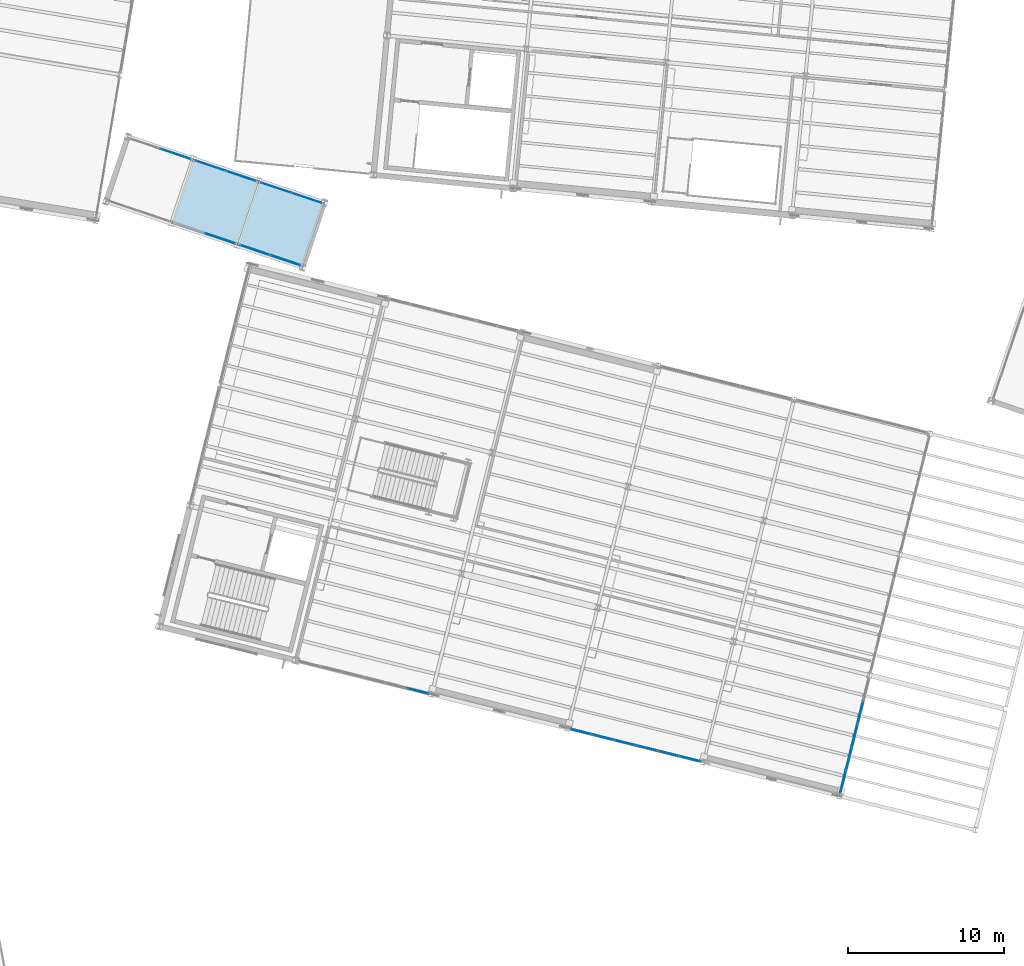
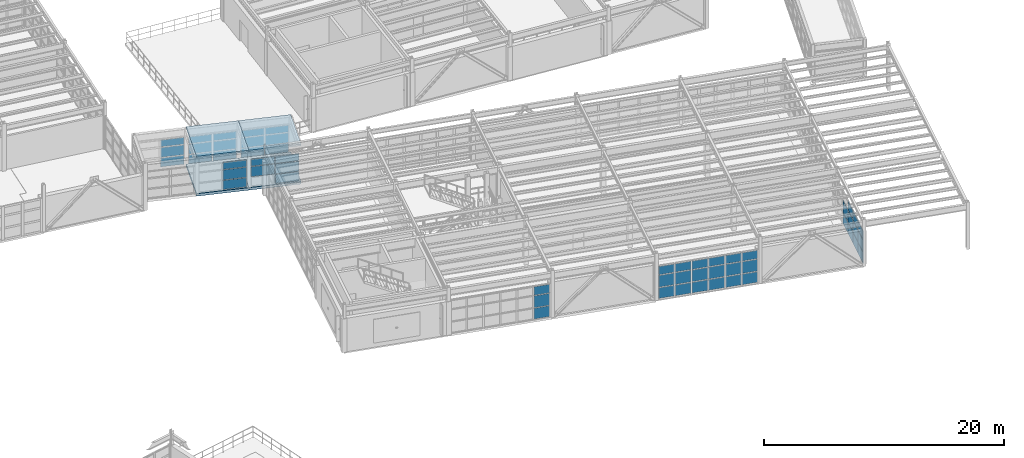
# One storey, part 62 of 102: 55 plates, 4 slabs, 8 elements without a shape of their own.
"""IFC4 building model written with IfcOpenShell, lengths in metres."""

from ifc_helpers import new_model, si_unit, direction, frame, origin, origin_2d, place, context, subcontext, project, spatial, polyline, rectangle, outline, extrude, material, layer, layer_set, type_object, element, aggregate, save


model = new_model("IFC4")

# Units and contexts
model_context = context("Model", 3, precision=1e-05, world=origin(), true_north=direction((0.0, 1.0)))
body_context = subcontext(model_context, "Body", "Model", "MODEL_VIEW")
ifc_project = project(units=[si_unit("LENGTHUNIT", "METRE"), si_unit("AREAUNIT", "SQUARE_METRE"), si_unit("VOLUMEUNIT", "CUBIC_METRE"), si_unit("PLANEANGLEUNIT", "RADIAN"), si_unit("MASSUNIT", "GRAM", prefix="KILO")], contexts=[model_context])

# Site, building, storey
site_placement = place(None, origin())
site = spatial("IfcSite", under=ifc_project, at=site_placement, CompositionType="ELEMENT")
building_placement = place(site_placement, origin())
building = spatial("IfcBuilding", under=site, at=building_placement, Name="Vireo Bluff Cable Station", CompositionType="ELEMENT")
storey_placement = place(building_placement, frame((0.0, 0.0, 9.60009765625)))
storey = spatial("IfcBuildingStorey", under=building, at=storey_placement, Name="L02", CompositionType="ELEMENT", Elevation=9.60009765625)

# Curtain wall, plates
ifc_material_1 = material(Name="Anodized Aluminium 6063-T6", Category="aluminium")
ifc_layer_1 = layer(ifc_material_1, 0.179931640625, Name="Anodized Aluminium 6063-T6")
ifc_layer_set_1 = layer_set([ifc_layer_1], Name="Anodized Aluminium 6063-T6")
curtain_wall_type_1 = type_object("IfcCurtainWallType", Name="CW-UNIT-1500", PredefinedType="USERDEFINED", material=ifc_layer_set_1)
curtain_wall_1_placement = place(storey_placement, origin())
curtain_wall_1 = element("IfcCurtainWall", 1, at=curtain_wall_1_placement, inside=storey, type_object=curtain_wall_type_1, Name="V1 L02 south curtain wall CW-010", ObjectType="UNITISED CURTAIN WALL", PredefinedType="USERDEFINED")
ifc_material_2 = material(Name="Laminated Low-E Insulated Glass", Category="glass")
ifc_layer_2 = layer(ifc_material_2, 0.028076171875, Name="Laminated Low-E Insulated Glass")
ifc_layer_set_2 = layer_set([ifc_layer_2], Name="Laminated Low-E Insulated Glass")
plate_type_1 = type_object("IfcPlateType", Name="CWP-28-1", PredefinedType="CURTAIN_PANEL", material=ifc_layer_set_2)
plate_1_placement = place(storey_placement, frame((70.596435546875, 33.862060546875, 0.059814453125), z_axis=(0.0, 0.0, 1.0), x_axis=(-0.970295740151, 0.241921839952, 0.0)))
plate_1 = element("IfcPlate", 2, at=plate_1_placement, type_object=plate_type_1, Name="CW-010 panel 1.1", PredefinedType="CURTAIN_PANEL", context=body_context, shape_type="SweptSolid", body=[
    extrude(rectangle(XDim=1.35791015625, YDim=0.028076171875, at=origin_2d()), origin(), (0.0, 0.0, 1.0), 1.10009765625),
])
plate_2_placement = place(storey_placement, frame((70.596435546875, 33.862060546875, 1.2197265625), z_axis=(0.0, 0.0, 1.0), x_axis=(-0.970295740151, 0.241921839952, 0.0)))
plate_2 = element("IfcPlate", 3, at=plate_2_placement, type_object=plate_type_1, Name="CW-010 panel 1.2", PredefinedType="CURTAIN_PANEL", context=body_context, shape_type="SweptSolid", body=[
    extrude(rectangle(XDim=1.35791015625, YDim=0.028076171875, at=origin_2d()), origin(), (0.0, 0.0, 1.0), 1.197998046875),
])
plate_3_placement = place(storey_placement, frame((70.596435546875, 33.862060546875, 2.47802734375), z_axis=(0.0, 0.0, 1.0), x_axis=(-0.970295740151, 0.241921839952, 0.0)))
plate_3 = element("IfcPlate", 4, at=plate_3_placement, type_object=plate_type_1, Name="CW-010 panel 1.3", PredefinedType="CURTAIN_PANEL", context=body_context, shape_type="SweptSolid", body=[
    extrude(rectangle(XDim=1.35791015625, YDim=0.028076171875, at=origin_2d()), origin(), (0.0, 0.0, 1.0), 0.862060546875),
])
aggregate(curtain_wall_1, [plate_1, plate_2, plate_3])

ifc_layer_3 = layer(ifc_material_1, 0.159912109375, Name="Anodized Aluminium 6063-T6")
ifc_layer_set_3 = layer_set([ifc_layer_3], Name="Anodized Aluminium 6063-T6")
curtain_wall_type_2 = type_object("IfcCurtainWallType", Name="CW-STICK-1850", PredefinedType="USERDEFINED", material=ifc_layer_set_3)
curtain_wall_2_placement = place(storey_placement, origin())
curtain_wall_2 = element("IfcCurtainWall", 5, at=curtain_wall_2_placement, inside=storey, type_object=curtain_wall_type_2, Name="SKYBR L02 CABIN-TRANSFER-3R curtain wall CW-145", ObjectType="STICK CURTAIN WALL", PredefinedType="USERDEFINED")
plate_4_placement = place(storey_placement, frame((61.468505859375, 66.193359375, 0.074951171875), z_axis=(0.0, 0.0, 1.0), x_axis=(0.9481127039, -0.317934428309, 0.0)))
plate_4 = element("IfcPlate", 6, at=plate_4_placement, type_object=plate_type_1, Name="CW-145 panel 1.1", PredefinedType="CURTAIN_PANEL", context=body_context, shape_type="SweptSolid", body=[
    extrude(rectangle(XDim=1.987548828125, YDim=0.028076171875, at=origin_2d()), origin(), (0.0, 0.0, 1.0), 0.8955078125),
])
plate_5_placement = place(storey_placement, frame((61.468505859375, 66.193359375, 1.04541015625), z_axis=(0.0, 0.0, 1.0), x_axis=(0.9481127039, -0.317934428309, 0.0)))
plate_5 = element("IfcPlate", 7, at=plate_5_placement, type_object=plate_type_1, Name="CW-145 panel 1.2", PredefinedType="CURTAIN_PANEL", context=body_context, shape_type="SweptSolid", body=[
    extrude(rectangle(XDim=1.987548828125, YDim=0.028076171875, at=origin_2d()), origin(), (0.0, 0.0, 1.0), 0.990478515625),
])
plate_6_placement = place(storey_placement, frame((61.468505859375, 66.193359375, 2.111083984375), z_axis=(0.0, 0.0, 1.0), x_axis=(0.9481127039, -0.317934428309, 0.0)))
plate_6 = element("IfcPlate", 8, at=plate_6_placement, type_object=plate_type_1, Name="CW-145 panel 1.3", PredefinedType="CURTAIN_PANEL", context=body_context, shape_type="SweptSolid", body=[
    extrude(rectangle(XDim=1.987548828125, YDim=0.028076171875, at=origin_2d()), origin(), (0.0, 0.0, 1.0), 0.69384765625),
])
plate_7_placement = place(storey_placement, frame((63.424072265625, 65.53759765625, 0.074951171875), z_axis=(0.0, 0.0, 1.0), x_axis=(0.9481127039, -0.317934428309, 0.0)))
plate_7 = element("IfcPlate", 9, at=plate_7_placement, type_object=plate_type_1, Name="CW-145 panel 2.1", PredefinedType="CURTAIN_PANEL", context=body_context, shape_type="SweptSolid", body=[
    extrude(rectangle(XDim=1.987548828125, YDim=0.028076171875, at=origin_2d()), origin(), (0.0, 0.0, 1.0), 0.8955078125),
])
plate_8_placement = place(storey_placement, frame((63.424072265625, 65.53759765625, 1.04541015625), z_axis=(0.0, 0.0, 1.0), x_axis=(0.9481127039, -0.317934428309, 0.0)))
plate_8 = element("IfcPlate", 10, at=plate_8_placement, type_object=plate_type_1, Name="CW-145 panel 2.2", PredefinedType="CURTAIN_PANEL", context=body_context, shape_type="SweptSolid", body=[
    extrude(rectangle(XDim=1.987548828125, YDim=0.028076171875, at=origin_2d()), origin(), (0.0, 0.0, 1.0), 0.990478515625),
])
plate_9_placement = place(storey_placement, frame((63.424072265625, 65.53759765625, 2.111083984375), z_axis=(0.0, 0.0, 1.0), x_axis=(0.9481127039, -0.317934428309, 0.0)))
plate_9 = element("IfcPlate", 11, at=plate_9_placement, type_object=plate_type_1, Name="CW-145 panel 2.3", PredefinedType="CURTAIN_PANEL", context=body_context, shape_type="SweptSolid", body=[
    extrude(rectangle(XDim=1.987548828125, YDim=0.028076171875, at=origin_2d()), origin(), (0.0, 0.0, 1.0), 0.69384765625),
])
aggregate(curtain_wall_2, [plate_4, plate_5, plate_6, plate_7, plate_8, plate_9])

curtain_wall_3_placement = place(storey_placement, origin())
curtain_wall_3 = element("IfcCurtainWall", 12, at=curtain_wall_3_placement, inside=storey, type_object=curtain_wall_type_2, Name="SKYBR L02 CABIN-TRANSFER-1R curtain wall CW-141", ObjectType="STICK CURTAIN WALL", PredefinedType="USERDEFINED")
ifc_layer_4 = layer(ifc_material_2, 0.031982421875, Name="Laminated Low-E Insulated Glass")
ifc_layer_set_4 = layer_set([ifc_layer_4], Name="Laminated Low-E Insulated Glass")
plate_type_2 = type_object("IfcPlateType", Name="CWP-32-2", PredefinedType="CURTAIN_PANEL", material=ifc_layer_set_4)
plate_10_placement = place(storey_placement, frame((55.003662109375, 68.361572265625, 0.074951171875), z_axis=(0.0, 0.0, 1.0), x_axis=(0.948115110586, -0.317927251237, 0.0)))
plate_10 = element("IfcPlate", 13, at=plate_10_placement, type_object=plate_type_2, Name="CW-141 panel 2.1", PredefinedType="CURTAIN_PANEL", context=body_context, shape_type="SweptSolid", body=[
    extrude(rectangle(XDim=1.987548828125, YDim=0.031982421875, at=origin_2d()), origin(), (0.0, 0.0, 1.0), 0.8955078125),
])
plate_11_placement = place(storey_placement, frame((55.003662109375, 68.361572265625, 1.04541015625), z_axis=(0.0, 0.0, 1.0), x_axis=(0.948115110586, -0.317927251237, 0.0)))
plate_11 = element("IfcPlate", 14, at=plate_11_placement, type_object=plate_type_2, Name="CW-141 panel 2.2", PredefinedType="CURTAIN_PANEL", context=body_context, shape_type="SweptSolid", body=[
    extrude(rectangle(XDim=1.987548828125, YDim=0.031982421875, at=origin_2d()), origin(), (0.0, 0.0, 1.0), 0.990478515625),
])
plate_12_placement = place(storey_placement, frame((55.003662109375, 68.361572265625, 2.111083984375), z_axis=(0.0, 0.0, 1.0), x_axis=(0.948115110586, -0.317927251237, 0.0)))
plate_12 = element("IfcPlate", 15, at=plate_12_placement, type_object=plate_type_2, Name="CW-141 panel 2.3", PredefinedType="CURTAIN_PANEL", context=body_context, shape_type="SweptSolid", body=[
    extrude(rectangle(XDim=1.987548828125, YDim=0.031982421875, at=origin_2d()), origin(), (0.0, 0.0, 1.0), 0.69384765625),
])
aggregate(curtain_wall_3, [plate_10, plate_11, plate_12])

ifc_layer_5 = layer(ifc_material_1, 0.159912109375, Name="Anodized Aluminium 6063-T6")
ifc_layer_set_5 = layer_set([ifc_layer_5], Name="Anodized Aluminium 6063-T6")
curtain_wall_type_3 = type_object("IfcCurtainWallType", Name="CW-STICK-1750", PredefinedType="USERDEFINED", material=ifc_layer_set_5)
curtain_wall_4_placement = place(storey_placement, origin())
curtain_wall_4 = element("IfcCurtainWall", 16, at=curtain_wall_4_placement, inside=storey, type_object=curtain_wall_type_3, Name="SKYBR L02 CABIN-TRANSFER-2L curtain wall CW-142", ObjectType="STICK CURTAIN WALL", PredefinedType="USERDEFINED")
ifc_layer_6 = layer(ifc_material_2, 0.035888671875, Name="Laminated Low-E Insulated Glass")
ifc_layer_set_6 = layer_set([ifc_layer_6], Name="Laminated Low-E Insulated Glass")
plate_type_3 = type_object("IfcPlateType", Name="CWP-36-3", PredefinedType="CURTAIN_PANEL", material=ifc_layer_set_6)
plate_13_placement = place(storey_placement, frame((57.87451171875, 62.943359375, 0.059814453125), z_axis=(0.0, 0.0, 1.0), x_axis=(0.948110513275, -0.317940960899, 0.0)))
plate_13 = element("IfcPlate", 17, at=plate_13_placement, type_object=plate_type_3, Name="CW-142 panel 2.1", PredefinedType="CURTAIN_PANEL", context=body_context, shape_type="SweptSolid", body=[
    extrude(rectangle(XDim=2.0107421875, YDim=0.035888671875, at=origin_2d()), origin(), (0.0, 0.0, 1.0), 0.91796875),
])
plate_14_placement = place(storey_placement, frame((57.87451171875, 62.943359375, 1.0380859375), z_axis=(0.0, 0.0, 1.0), x_axis=(0.948110513275, -0.317940960899, 0.0)))
plate_14 = element("IfcPlate", 18, at=plate_14_placement, type_object=plate_type_3, Name="CW-142 panel 2.2", PredefinedType="CURTAIN_PANEL", context=body_context, shape_type="SweptSolid", body=[
    extrude(rectangle(XDim=2.0107421875, YDim=0.035888671875, at=origin_2d()), origin(), (0.0, 0.0, 1.0), 1.005615234375),
])
plate_15_placement = place(storey_placement, frame((57.87451171875, 62.943359375, 2.103515625), z_axis=(0.0, 0.0, 1.0), x_axis=(0.948110513275, -0.317940960899, 0.0)))
plate_15 = element("IfcPlate", 19, at=plate_15_placement, type_object=plate_type_3, Name="CW-142 panel 2.3", PredefinedType="CURTAIN_PANEL", context=body_context, shape_type="SweptSolid", body=[
    extrude(rectangle(XDim=2.0107421875, YDim=0.035888671875, at=origin_2d()), origin(), (0.0, 0.0, 1.0), 0.71630859375),
])
aggregate(curtain_wall_4, [plate_13, plate_14, plate_15])

ifc_layer_7 = layer(ifc_material_1, 0.179931640625, Name="Anodized Aluminium 6063-T6")
ifc_layer_set_7 = layer_set([ifc_layer_7], Name="Anodized Aluminium 6063-T6")
curtain_wall_type_4 = type_object("IfcCurtainWallType", Name="CW-UNIT-1400", PredefinedType="USERDEFINED", material=ifc_layer_set_7)
curtain_wall_5_placement = place(storey_placement, origin())
curtain_wall_5 = element("IfcCurtainWall", 20, at=curtain_wall_5_placement, inside=storey, type_object=curtain_wall_type_4, Name="V1 L02 east curtain wall CW-018", ObjectType="UNITISED CURTAIN WALL", PredefinedType="USERDEFINED")
ifc_material_3 = material(Name="Insulated Spandrel Glass Panel", Category="glass")
ifc_layer_8 = layer(ifc_material_3, 0.0419921875, Name="Insulated Spandrel Glass Panel")
ifc_layer_set_8 = layer_set([ifc_layer_8], Name="Insulated Spandrel Glass Panel")
plate_type_4 = type_object("IfcPlateType", Name="CWP-42-4", PredefinedType="CURTAIN_PANEL", material=ifc_layer_set_8)
plate_16_placement = place(storey_placement, frame((99.00146484375, 32.480224609375, 0.059814453125), z_axis=(0.0, 0.0, 1.0), x_axis=(-0.241921872517, -0.970295732031, 0.0)))
plate_16 = element("IfcPlate", 21, at=plate_16_placement, type_object=plate_type_4, Name="CW-018 panel 2.1", PredefinedType="CURTAIN_PANEL", context=body_context, shape_type="SweptSolid", body=[
    extrude(rectangle(XDim=1.4736328125, YDim=0.0419921875, at=origin_2d()), origin(), (0.0, 0.0, 1.0), 1.10009765625),
])
plate_17_placement = place(storey_placement, frame((99.00146484375, 32.480224609375, 1.2197265625), z_axis=(0.0, 0.0, 1.0), x_axis=(-0.241921872517, -0.970295732031, 0.0)))
plate_17 = element("IfcPlate", 22, at=plate_17_placement, type_object=plate_type_4, Name="CW-018 panel 2.2", PredefinedType="CURTAIN_PANEL", context=body_context, shape_type="SweptSolid", body=[
    extrude(rectangle(XDim=1.4736328125, YDim=0.0419921875, at=origin_2d()), origin(), (0.0, 0.0, 1.0), 1.197998046875),
])
plate_18_placement = place(storey_placement, frame((98.63037109375, 30.9921875, 0.059814453125), z_axis=(0.0, 0.0, 1.0), x_axis=(-0.241921872517, -0.970295732031, 0.0)))
plate_18 = element("IfcPlate", 23, at=plate_18_placement, type_object=plate_type_4, Name="CW-018 panel 3.1", PredefinedType="CURTAIN_PANEL", context=body_context, shape_type="SweptSolid", body=[
    extrude(rectangle(XDim=1.4736328125, YDim=0.0419921875, at=origin_2d()), origin(), (0.0, 0.0, 1.0), 1.10009765625),
])
plate_19_placement = place(storey_placement, frame((98.63037109375, 30.9921875, 1.2197265625), z_axis=(0.0, 0.0, 1.0), x_axis=(-0.241921872517, -0.970295732031, 0.0)))
plate_19 = element("IfcPlate", 24, at=plate_19_placement, type_object=plate_type_4, Name="CW-018 panel 3.2", PredefinedType="CURTAIN_PANEL", context=body_context, shape_type="SweptSolid", body=[
    extrude(rectangle(XDim=1.4736328125, YDim=0.0419921875, at=origin_2d()), origin(), (0.0, 0.0, 1.0), 1.197998046875),
])
plate_20_placement = place(storey_placement, frame((98.63037109375, 30.9921875, 2.47802734375), z_axis=(0.0, 0.0, 1.0), x_axis=(-0.241921872517, -0.970295732031, 0.0)))
plate_20 = element("IfcPlate", 25, at=plate_20_placement, type_object=plate_type_4, Name="CW-018 panel 3.3", PredefinedType="CURTAIN_PANEL", context=body_context, shape_type="SweptSolid", body=[
    extrude(rectangle(XDim=1.4736328125, YDim=0.0419921875, at=origin_2d()), origin(), (0.0, 0.0, 1.0), 0.862060546875),
])
plate_21_placement = place(storey_placement, frame((98.25927734375, 29.504150390625, 0.059814453125), z_axis=(0.0, 0.0, 1.0), x_axis=(-0.241921872517, -0.970295732031, 0.0)))
plate_21 = element("IfcPlate", 26, at=plate_21_placement, type_object=plate_type_4, Name="CW-018 panel 4.1", PredefinedType="CURTAIN_PANEL", context=body_context, shape_type="SweptSolid", body=[
    extrude(rectangle(XDim=1.4736328125, YDim=0.0419921875, at=origin_2d()), origin(), (0.0, 0.0, 1.0), 1.10009765625),
])
plate_22_placement = place(storey_placement, frame((98.25927734375, 29.504150390625, 1.2197265625), z_axis=(0.0, 0.0, 1.0), x_axis=(-0.241921872517, -0.970295732031, 0.0)))
plate_22 = element("IfcPlate", 27, at=plate_22_placement, type_object=plate_type_4, Name="CW-018 panel 4.2", PredefinedType="CURTAIN_PANEL", context=body_context, shape_type="SweptSolid", body=[
    extrude(rectangle(XDim=1.4736328125, YDim=0.0419921875, at=origin_2d()), origin(), (0.0, 0.0, 1.0), 1.197998046875),
])
plate_23_placement = place(storey_placement, frame((98.25927734375, 29.504150390625, 2.47802734375), z_axis=(0.0, 0.0, 1.0), x_axis=(-0.241921872517, -0.970295732031, 0.0)))
plate_23 = element("IfcPlate", 28, at=plate_23_placement, type_object=plate_type_4, Name="CW-018 panel 4.3", PredefinedType="CURTAIN_PANEL", context=body_context, shape_type="SweptSolid", body=[
    extrude(rectangle(XDim=1.4736328125, YDim=0.0419921875, at=origin_2d()), origin(), (0.0, 0.0, 1.0), 0.862060546875),
])
plate_24_placement = place(storey_placement, frame((97.89208984375, 28.03076171875, 0.059814453125), z_axis=(0.0, 0.0, 1.0), x_axis=(-0.241921872517, -0.970295732031, 0.0)))
plate_24 = element("IfcPlate", 29, at=plate_24_placement, type_object=plate_type_4, Name="CW-018 panel 5.1", PredefinedType="CURTAIN_PANEL", context=body_context, shape_type="SweptSolid", body=[
    extrude(rectangle(XDim=1.443603515625, YDim=0.0419921875, at=origin_2d()), origin(), (0.0, 0.0, 1.0), 1.10009765625),
])
plate_25_placement = place(storey_placement, frame((97.89208984375, 28.03076171875, 1.2197265625), z_axis=(0.0, 0.0, 1.0), x_axis=(-0.241921872517, -0.970295732031, 0.0)))
plate_25 = element("IfcPlate", 30, at=plate_25_placement, type_object=plate_type_4, Name="CW-018 panel 5.2", PredefinedType="CURTAIN_PANEL", context=body_context, shape_type="SweptSolid", body=[
    extrude(rectangle(XDim=1.443603515625, YDim=0.0419921875, at=origin_2d()), origin(), (0.0, 0.0, 1.0), 1.197998046875),
])
plate_26_placement = place(storey_placement, frame((97.89208984375, 28.03076171875, 2.47802734375), z_axis=(0.0, 0.0, 1.0), x_axis=(-0.241921872517, -0.970295732031, 0.0)))
plate_26 = element("IfcPlate", 31, at=plate_26_placement, type_object=plate_type_4, Name="CW-018 panel 5.3", PredefinedType="CURTAIN_PANEL", context=body_context, shape_type="SweptSolid", body=[
    extrude(rectangle(XDim=1.443603515625, YDim=0.0419921875, at=origin_2d()), origin(), (0.0, 0.0, 1.0), 0.862060546875),
])
aggregate(curtain_wall_5, [plate_16, plate_17, plate_18, plate_19, plate_20, plate_21, plate_22, plate_23, plate_24, plate_25, plate_26])

curtain_wall_6_placement = place(storey_placement, origin())
curtain_wall_6 = element("IfcCurtainWall", 32, at=curtain_wall_6_placement, inside=storey, type_object=curtain_wall_type_2, Name="SKYBR L02 CABIN-TRANSFER-2R curtain wall CW-143", ObjectType="STICK CURTAIN WALL", PredefinedType="USERDEFINED")
plate_27_placement = place(storey_placement, frame((57.25927734375, 67.60498046875, 0.080078125), z_axis=(0.0, 0.0, 1.0), x_axis=(0.948110513275, -0.317940960899, 0.0)))
plate_27 = element("IfcPlate", 33, at=plate_27_placement, type_object=plate_type_4, Name="CW-143 panel 1.1", PredefinedType="CURTAIN_PANEL", context=body_context, shape_type="SweptSolid", body=[
    extrude(rectangle(XDim=1.980712890625, YDim=0.0419921875, at=origin_2d()), origin(), (0.0, 0.0, 1.0), 0.887939453125),
])
plate_28_placement = place(storey_placement, frame((57.25927734375, 67.60498046875, 1.0478515625), z_axis=(0.0, 0.0, 1.0), x_axis=(0.948110513275, -0.317940960899, 0.0)))
plate_28 = element("IfcPlate", 34, at=plate_28_placement, type_object=plate_type_4, Name="CW-143 panel 1.2", PredefinedType="CURTAIN_PANEL", context=body_context, shape_type="SweptSolid", body=[
    extrude(rectangle(XDim=1.980712890625, YDim=0.0419921875, at=origin_2d()), origin(), (0.0, 0.0, 1.0), 0.985595703125),
])
plate_29_placement = place(storey_placement, frame((57.25927734375, 67.60498046875, 2.11376953125), z_axis=(0.0, 0.0, 1.0), x_axis=(0.948110513275, -0.317940960899, 0.0)))
plate_29 = element("IfcPlate", 35, at=plate_29_placement, type_object=plate_type_4, Name="CW-143 panel 1.3", PredefinedType="CURTAIN_PANEL", context=body_context, shape_type="SweptSolid", body=[
    extrude(rectangle(XDim=1.980712890625, YDim=0.0419921875, at=origin_2d()), origin(), (0.0, 0.0, 1.0), 0.686279296875),
])
plate_30_placement = place(storey_placement, frame((59.212890625, 66.94970703125, 0.080078125), z_axis=(0.0, 0.0, 1.0), x_axis=(0.948110513275, -0.317940960899, 0.0)))
plate_30 = element("IfcPlate", 36, at=plate_30_placement, type_object=plate_type_4, Name="CW-143 panel 2.1", PredefinedType="CURTAIN_PANEL", context=body_context, shape_type="SweptSolid", body=[
    extrude(rectangle(XDim=1.980712890625, YDim=0.0419921875, at=origin_2d()), origin(), (0.0, 0.0, 1.0), 0.887939453125),
])
plate_31_placement = place(storey_placement, frame((59.212890625, 66.94970703125, 1.0478515625), z_axis=(0.0, 0.0, 1.0), x_axis=(0.948110513275, -0.317940960899, 0.0)))
plate_31 = element("IfcPlate", 37, at=plate_31_placement, type_object=plate_type_4, Name="CW-143 panel 2.2", PredefinedType="CURTAIN_PANEL", context=body_context, shape_type="SweptSolid", body=[
    extrude(rectangle(XDim=1.980712890625, YDim=0.0419921875, at=origin_2d()), origin(), (0.0, 0.0, 1.0), 0.985595703125),
])
plate_32_placement = place(storey_placement, frame((59.212890625, 66.94970703125, 2.11376953125), z_axis=(0.0, 0.0, 1.0), x_axis=(0.948110513275, -0.317940960899, 0.0)))
plate_32 = element("IfcPlate", 38, at=plate_32_placement, type_object=plate_type_4, Name="CW-143 panel 2.3", PredefinedType="CURTAIN_PANEL", context=body_context, shape_type="SweptSolid", body=[
    extrude(rectangle(XDim=1.980712890625, YDim=0.0419921875, at=origin_2d()), origin(), (0.0, 0.0, 1.0), 0.686279296875),
])
aggregate(curtain_wall_6, [plate_27, plate_28, plate_29, plate_30, plate_31, plate_32])

curtain_wall_7_placement = place(storey_placement, origin())
curtain_wall_7 = element("IfcCurtainWall", 39, at=curtain_wall_7_placement, inside=storey, type_object=curtain_wall_type_4, Name="V1 L02 south curtain wall CW-009", ObjectType="UNITISED CURTAIN WALL", PredefinedType="USERDEFINED")
ifc_layer_9 = layer(ifc_material_3, 0.048095703125, Name="Insulated Spandrel Glass Panel")
ifc_layer_set_9 = layer_set([ifc_layer_9], Name="Insulated Spandrel Glass Panel")
plate_type_5 = type_object("IfcPlateType", Name="CWP-48-5", PredefinedType="CURTAIN_PANEL", material=ifc_layer_set_9)
plate_33_placement = place(storey_placement, frame((88.082763671875, 29.502197265625, 0.0751953125), z_axis=(0.0, 0.0, 1.0), x_axis=(-0.970295735236, 0.241921859664, 0.0)))
plate_33 = element("IfcPlate", 40, at=plate_33_placement, type_object=plate_type_5, Name="CW-009 panel 1.1", PredefinedType="CURTAIN_PANEL", context=body_context, shape_type="SweptSolid", body=[
    extrude(rectangle(XDim=1.33984375, YDim=0.048095703125, at=origin_2d()), origin(), (0.0, 0.0, 1.0), 1.077392578125),
])
plate_34_placement = place(storey_placement, frame((88.082763671875, 29.502197265625, 1.227294921875), z_axis=(0.0, 0.0, 1.0), x_axis=(-0.970295735236, 0.241921859664, 0.0)))
plate_34 = element("IfcPlate", 41, at=plate_34_placement, type_object=plate_type_5, Name="CW-009 panel 1.2", PredefinedType="CURTAIN_PANEL", context=body_context, shape_type="SweptSolid", body=[
    extrude(rectangle(XDim=1.33984375, YDim=0.048095703125, at=origin_2d()), origin(), (0.0, 0.0, 1.0), 1.18310546875),
])
plate_35_placement = place(storey_placement, frame((88.082763671875, 29.502197265625, 2.4853515625), z_axis=(0.0, 0.0, 1.0), x_axis=(-0.970295735236, 0.241921859664, 0.0)))
plate_35 = element("IfcPlate", 42, at=plate_35_placement, type_object=plate_type_5, Name="CW-009 panel 1.3", PredefinedType="CURTAIN_PANEL", context=body_context, shape_type="SweptSolid", body=[
    extrude(rectangle(XDim=1.33984375, YDim=0.048095703125, at=origin_2d()), origin(), (0.0, 0.0, 1.0), 0.839599609375),
])
plate_36_placement = place(storey_placement, frame((86.691650390625, 29.84912109375, 0.0751953125), z_axis=(0.0, 0.0, 1.0), x_axis=(-0.970295735236, 0.241921859664, 0.0)))
plate_36 = element("IfcPlate", 43, at=plate_36_placement, type_object=plate_type_5, Name="CW-009 panel 2.1", PredefinedType="CURTAIN_PANEL", context=body_context, shape_type="SweptSolid", body=[
    extrude(rectangle(XDim=1.37744140625, YDim=0.048095703125, at=origin_2d()), origin(), (0.0, 0.0, 1.0), 1.077392578125),
])
plate_37_placement = place(storey_placement, frame((86.691650390625, 29.84912109375, 1.227294921875), z_axis=(0.0, 0.0, 1.0), x_axis=(-0.970295735236, 0.241921859664, 0.0)))
plate_37 = element("IfcPlate", 44, at=plate_37_placement, type_object=plate_type_5, Name="CW-009 panel 2.2", PredefinedType="CURTAIN_PANEL", context=body_context, shape_type="SweptSolid", body=[
    extrude(rectangle(XDim=1.37744140625, YDim=0.048095703125, at=origin_2d()), origin(), (0.0, 0.0, 1.0), 1.18310546875),
])
plate_38_placement = place(storey_placement, frame((86.691650390625, 29.84912109375, 2.4853515625), z_axis=(0.0, 0.0, 1.0), x_axis=(-0.970295735236, 0.241921859664, 0.0)))
plate_38 = element("IfcPlate", 45, at=plate_38_placement, type_object=plate_type_5, Name="CW-009 panel 2.3", PredefinedType="CURTAIN_PANEL", context=body_context, shape_type="SweptSolid", body=[
    extrude(rectangle(XDim=1.37744140625, YDim=0.048095703125, at=origin_2d()), origin(), (0.0, 0.0, 1.0), 0.839599609375),
])
plate_39_placement = place(storey_placement, frame((85.2822265625, 30.200439453125, 0.0751953125), z_axis=(0.0, 0.0, 1.0), x_axis=(-0.970295735236, 0.241921859664, 0.0)))
plate_39 = element("IfcPlate", 46, at=plate_39_placement, type_object=plate_type_5, Name="CW-009 panel 3.1", PredefinedType="CURTAIN_PANEL", context=body_context, shape_type="SweptSolid", body=[
    extrude(rectangle(XDim=1.37744140625, YDim=0.048095703125, at=origin_2d()), origin(), (0.0, 0.0, 1.0), 1.077392578125),
])
plate_40_placement = place(storey_placement, frame((85.2822265625, 30.200439453125, 1.227294921875), z_axis=(0.0, 0.0, 1.0), x_axis=(-0.970295735236, 0.241921859664, 0.0)))
plate_40 = element("IfcPlate", 47, at=plate_40_placement, type_object=plate_type_5, Name="CW-009 panel 3.2", PredefinedType="CURTAIN_PANEL", context=body_context, shape_type="SweptSolid", body=[
    extrude(rectangle(XDim=1.37744140625, YDim=0.048095703125, at=origin_2d()), origin(), (0.0, 0.0, 1.0), 1.18310546875),
])
plate_41_placement = place(storey_placement, frame((85.2822265625, 30.200439453125, 2.4853515625), z_axis=(0.0, 0.0, 1.0), x_axis=(-0.970295735236, 0.241921859664, 0.0)))
plate_41 = element("IfcPlate", 48, at=plate_41_placement, type_object=plate_type_5, Name="CW-009 panel 3.3", PredefinedType="CURTAIN_PANEL", context=body_context, shape_type="SweptSolid", body=[
    extrude(rectangle(XDim=1.37744140625, YDim=0.048095703125, at=origin_2d()), origin(), (0.0, 0.0, 1.0), 0.839599609375),
])
plate_42_placement = place(storey_placement, frame((83.873046875, 30.5517578125, 0.0751953125), z_axis=(0.0, 0.0, 1.0), x_axis=(-0.970295735236, 0.241921859664, 0.0)))
plate_42 = element("IfcPlate", 49, at=plate_42_placement, type_object=plate_type_5, Name="CW-009 panel 4.1", PredefinedType="CURTAIN_PANEL", context=body_context, shape_type="SweptSolid", body=[
    extrude(rectangle(XDim=1.37744140625, YDim=0.048095703125, at=origin_2d()), origin(), (0.0, 0.0, 1.0), 1.077392578125),
])
plate_43_placement = place(storey_placement, frame((83.873046875, 30.5517578125, 1.227294921875), z_axis=(0.0, 0.0, 1.0), x_axis=(-0.970295735236, 0.241921859664, 0.0)))
plate_43 = element("IfcPlate", 50, at=plate_43_placement, type_object=plate_type_5, Name="CW-009 panel 4.2", PredefinedType="CURTAIN_PANEL", context=body_context, shape_type="SweptSolid", body=[
    extrude(rectangle(XDim=1.37744140625, YDim=0.048095703125, at=origin_2d()), origin(), (0.0, 0.0, 1.0), 1.18310546875),
])
plate_44_placement = place(storey_placement, frame((83.873046875, 30.5517578125, 2.4853515625), z_axis=(0.0, 0.0, 1.0), x_axis=(-0.970295735236, 0.241921859664, 0.0)))
plate_44 = element("IfcPlate", 51, at=plate_44_placement, type_object=plate_type_5, Name="CW-009 panel 4.3", PredefinedType="CURTAIN_PANEL", context=body_context, shape_type="SweptSolid", body=[
    extrude(rectangle(XDim=1.37744140625, YDim=0.048095703125, at=origin_2d()), origin(), (0.0, 0.0, 1.0), 0.839599609375),
])
plate_45_placement = place(storey_placement, frame((82.4638671875, 30.903076171875, 0.0751953125), z_axis=(0.0, 0.0, 1.0), x_axis=(-0.970295735236, 0.241921859664, 0.0)))
plate_45 = element("IfcPlate", 52, at=plate_45_placement, type_object=plate_type_5, Name="CW-009 panel 5.1", PredefinedType="CURTAIN_PANEL", context=body_context, shape_type="SweptSolid", body=[
    extrude(rectangle(XDim=1.37744140625, YDim=0.048095703125, at=origin_2d()), origin(), (0.0, 0.0, 1.0), 1.077392578125),
])
plate_46_placement = place(storey_placement, frame((82.4638671875, 30.903076171875, 1.227294921875), z_axis=(0.0, 0.0, 1.0), x_axis=(-0.970295735236, 0.241921859664, 0.0)))
plate_46 = element("IfcPlate", 53, at=plate_46_placement, type_object=plate_type_5, Name="CW-009 panel 5.2", PredefinedType="CURTAIN_PANEL", context=body_context, shape_type="SweptSolid", body=[
    extrude(rectangle(XDim=1.37744140625, YDim=0.048095703125, at=origin_2d()), origin(), (0.0, 0.0, 1.0), 1.18310546875),
])
plate_47_placement = place(storey_placement, frame((82.4638671875, 30.903076171875, 2.4853515625), z_axis=(0.0, 0.0, 1.0), x_axis=(-0.970295735236, 0.241921859664, 0.0)))
plate_47 = element("IfcPlate", 54, at=plate_47_placement, type_object=plate_type_5, Name="CW-009 panel 5.3", PredefinedType="CURTAIN_PANEL", context=body_context, shape_type="SweptSolid", body=[
    extrude(rectangle(XDim=1.37744140625, YDim=0.048095703125, at=origin_2d()), origin(), (0.0, 0.0, 1.0), 0.839599609375),
])
plate_48_placement = place(storey_placement, frame((81.07275390625, 31.25, 0.0751953125), z_axis=(0.0, 0.0, 1.0), x_axis=(-0.970295735236, 0.241921859664, 0.0)))
plate_48 = element("IfcPlate", 55, at=plate_48_placement, type_object=plate_type_5, Name="CW-009 panel 6.1", PredefinedType="CURTAIN_PANEL", context=body_context, shape_type="SweptSolid", body=[
    extrude(rectangle(XDim=1.33984375, YDim=0.048095703125, at=origin_2d()), origin(), (0.0, 0.0, 1.0), 1.077392578125),
])
plate_49_placement = place(storey_placement, frame((81.07275390625, 31.25, 1.227294921875), z_axis=(0.0, 0.0, 1.0), x_axis=(-0.970295735236, 0.241921859664, 0.0)))
plate_49 = element("IfcPlate", 56, at=plate_49_placement, type_object=plate_type_5, Name="CW-009 panel 6.2", PredefinedType="CURTAIN_PANEL", context=body_context, shape_type="SweptSolid", body=[
    extrude(rectangle(XDim=1.33984375, YDim=0.048095703125, at=origin_2d()), origin(), (0.0, 0.0, 1.0), 1.18310546875),
])
plate_50_placement = place(storey_placement, frame((81.07275390625, 31.25, 2.4853515625), z_axis=(0.0, 0.0, 1.0), x_axis=(-0.970295735236, 0.241921859664, 0.0)))
plate_50 = element("IfcPlate", 57, at=plate_50_placement, type_object=plate_type_5, Name="CW-009 panel 6.3", PredefinedType="CURTAIN_PANEL", context=body_context, shape_type="SweptSolid", body=[
    extrude(rectangle(XDim=1.33984375, YDim=0.048095703125, at=origin_2d()), origin(), (0.0, 0.0, 1.0), 0.839599609375),
])
aggregate(curtain_wall_7, [plate_33, plate_34, plate_35, plate_36, plate_37, plate_38, plate_39, plate_40, plate_41, plate_42, plate_43, plate_44, plate_45, plate_46, plate_47, plate_48, plate_49, plate_50])

curtain_wall_8_placement = place(storey_placement, origin())
curtain_wall_8 = element("IfcCurtainWall", 58, at=curtain_wall_8_placement, inside=storey, type_object=curtain_wall_type_3, Name="SKYBR L02 CABIN-TRANSFER-3L curtain wall CW-144", ObjectType="STICK CURTAIN WALL", PredefinedType="USERDEFINED")
plate_51_placement = place(storey_placement, frame((60.123046875, 62.189208984375, 1.04052734375), z_axis=(0.0, 0.0, 1.0), x_axis=(0.9481127039, -0.317934428309, 0.0)))
plate_51 = element("IfcPlate", 59, at=plate_51_placement, type_object=plate_type_5, Name="CW-144 panel 1.2", PredefinedType="CURTAIN_PANEL", context=body_context, shape_type="SweptSolid", body=[
    extrude(rectangle(XDim=2.00244140625, YDim=0.048095703125, at=origin_2d()), origin(), (0.0, 0.0, 1.0), 1.00048828125),
])
plate_52_placement = place(storey_placement, frame((60.123046875, 62.189208984375, 2.10595703125), z_axis=(0.0, 0.0, 1.0), x_axis=(0.9481127039, -0.317934428309, 0.0)))
plate_52 = element("IfcPlate", 60, at=plate_52_placement, type_object=plate_type_5, Name="CW-144 panel 1.3", PredefinedType="CURTAIN_PANEL", context=body_context, shape_type="SweptSolid", body=[
    extrude(rectangle(XDim=2.00244140625, YDim=0.048095703125, at=origin_2d()), origin(), (0.0, 0.0, 1.0), 0.708984375),
])
plate_53_placement = place(storey_placement, frame((62.083251953125, 61.531982421875, 0.06494140625), z_axis=(0.0, 0.0, 1.0), x_axis=(0.9481127039, -0.317934428309, 0.0)))
plate_53 = element("IfcPlate", 61, at=plate_53_placement, type_object=plate_type_5, Name="CW-144 panel 2.1", PredefinedType="CURTAIN_PANEL", context=body_context, shape_type="SweptSolid", body=[
    extrude(rectangle(XDim=2.00244140625, YDim=0.048095703125, at=origin_2d()), origin(), (0.0, 0.0, 1.0), 0.910400390625),
])
plate_54_placement = place(storey_placement, frame((62.083251953125, 61.531982421875, 1.04052734375), z_axis=(0.0, 0.0, 1.0), x_axis=(0.9481127039, -0.317934428309, 0.0)))
plate_54 = element("IfcPlate", 62, at=plate_54_placement, type_object=plate_type_5, Name="CW-144 panel 2.2", PredefinedType="CURTAIN_PANEL", context=body_context, shape_type="SweptSolid", body=[
    extrude(rectangle(XDim=2.00244140625, YDim=0.048095703125, at=origin_2d()), origin(), (0.0, 0.0, 1.0), 1.00048828125),
])
plate_55_placement = place(storey_placement, frame((62.083251953125, 61.531982421875, 2.10595703125), z_axis=(0.0, 0.0, 1.0), x_axis=(0.9481127039, -0.317934428309, 0.0)))
plate_55 = element("IfcPlate", 63, at=plate_55_placement, type_object=plate_type_5, Name="CW-144 panel 2.3", PredefinedType="CURTAIN_PANEL", context=body_context, shape_type="SweptSolid", body=[
    extrude(rectangle(XDim=2.00244140625, YDim=0.048095703125, at=origin_2d()), origin(), (0.0, 0.0, 1.0), 0.708984375),
])
aggregate(curtain_wall_8, [plate_51, plate_52, plate_53, plate_54, plate_55])

# Slabs
ifc_material_4 = material(Name="Concrete f'c 40 MPa", Category="concrete")
ifc_layer_10 = layer(ifc_material_4, 0.260009765625, Name="Concrete f'c 40 MPa")
ifc_layer_set_10 = layer_set([ifc_layer_10], Name="Concrete f'c 40 MPa")
slab_type_1 = type_object("IfcSlabType", Name="FLOORSLAB-260", PredefinedType="FLOOR", material=ifc_layer_set_10)
slab_1_placement = place(storey_placement, frame((0.0, 0.0, -0.260009765625)))
element("IfcSlab", 64, at=slab_1_placement, inside=storey, type_object=slab_type_1, Name="CABIN-TRANSFER enclosed skybridge floor slab 2", PredefinedType="FLOOR", context=body_context, shape_type="SweptSolid", body=[
    extrude(outline(polyline([(54.759521484375, 63.895263671875), (58.970458984375, 62.483154296875), (60.36962890625, 66.65478515625), (56.15869140625, 68.06689453125), (54.759521484375, 63.895263671875)])), origin(), (0.0, 0.0, 1.0), 0.260009765625),
])
slab_2_placement = place(storey_placement, frame((0.0, 0.0, -0.260009765625)))
element("IfcSlab", 65, at=slab_2_placement, inside=storey, type_object=slab_type_1, Name="CABIN-TRANSFER enclosed skybridge floor slab 3", PredefinedType="FLOOR", context=body_context, shape_type="SweptSolid", body=[
    extrude(outline(polyline([(58.970458984375, 62.483154296875), (63.179931640625, 61.0712890625), (64.5791015625, 65.242919921875), (60.36962890625, 66.65478515625), (58.970458984375, 62.483154296875)])), origin(), (0.0, 0.0, 1.0), 0.260009765625),
])
ifc_layer_11 = layer(ifc_material_4, 0.169921875, Name="Concrete f'c 40 MPa")
ifc_layer_set_11 = layer_set([ifc_layer_11], Name="Concrete f'c 40 MPa")
slab_type_2 = type_object("IfcSlabType", Name="ROOFSLAB-170-3", PredefinedType="ROOF", material=ifc_layer_set_11)
slab_3_placement = place(storey_placement, frame((0.0, 0.0, 3.6298828125)))
element("IfcSlab", 66, at=slab_3_placement, inside=storey, type_object=slab_type_2, Name="CABIN-TRANSFER enclosed skybridge roof slab 2", PredefinedType="ROOF", context=body_context, shape_type="SweptSolid", body=[
    extrude(outline(polyline([(54.759521484375, 63.895263671875), (58.970458984375, 62.483154296875), (60.36962890625, 66.65478515625), (56.15869140625, 68.06689453125), (54.759521484375, 63.895263671875)])), origin(), (0.0, 0.0, 1.0), 0.169921875),
])
slab_4_placement = place(storey_placement, frame((0.0, 0.0, 3.6298828125)))
element("IfcSlab", 67, at=slab_4_placement, inside=storey, type_object=slab_type_2, Name="CABIN-TRANSFER enclosed skybridge roof slab 3", PredefinedType="ROOF", context=body_context, shape_type="SweptSolid", body=[
    extrude(outline(polyline([(58.970458984375, 62.483154296875), (63.179931640625, 61.0712890625), (64.5791015625, 65.242919921875), (60.36962890625, 66.65478515625), (58.970458984375, 62.483154296875)])), origin(), (0.0, 0.0, 1.0), 0.169921875),
])

save(model, "model.ifc")
